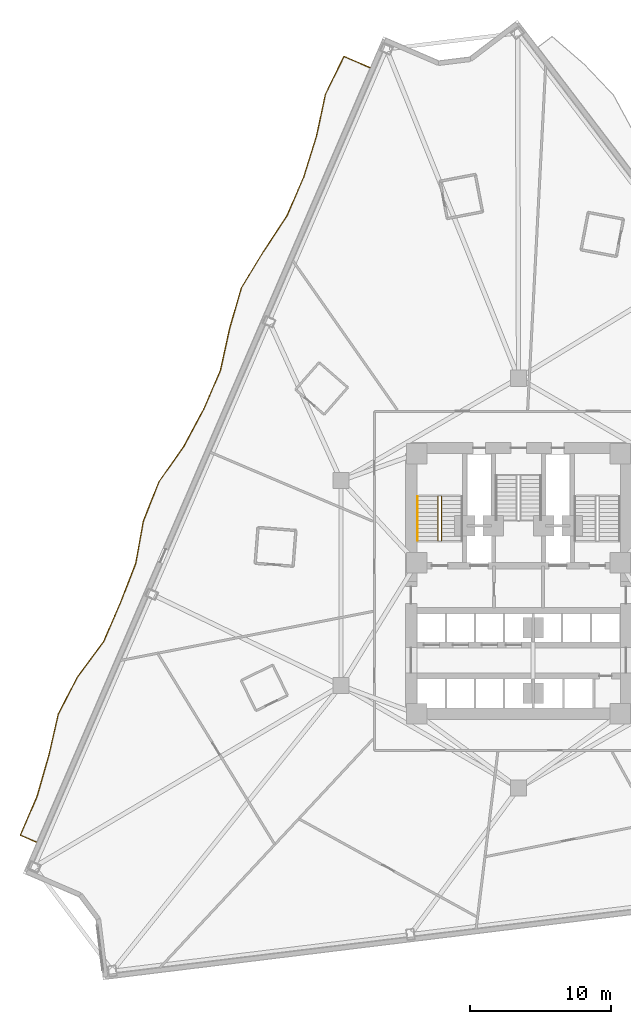
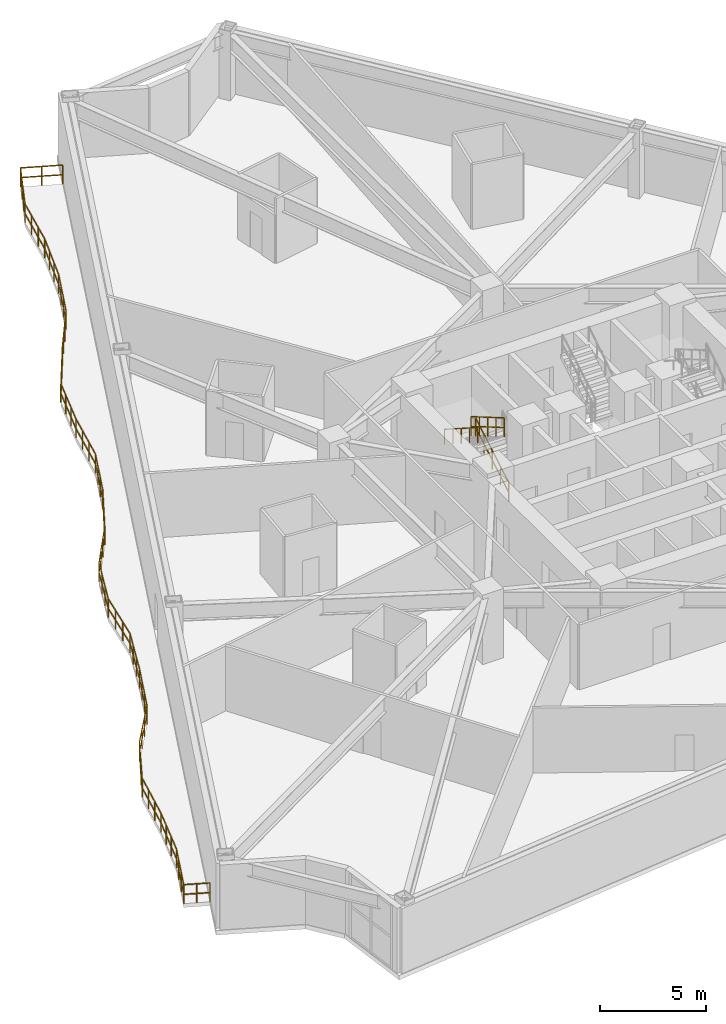
# One storey, part 12 of 14: 4 railings.
"""IFC4 building model written with IfcOpenShell, lengths in metres."""

import ifcopenshell
import ifcopenshell.guid

model = None  # the IFC model being written
_history = None  # IfcOwnerHistory: only IFC2X3 demands one
_inside = {}  # id of a spatial element -> (the spatial element, [elements in it])
_under = {}  # id of a project, library or spatial element -> (it, [spatial elements below it])
_declared = {}  # id of a project -> (the project, [libraries it declares])
_typed = {}  # id of a type object -> (the type object, [elements of that type])
_made_of = {}  # id of a material, layer set ... -> (it, [elements and type objects made of it])


def new_model(schema):
    """Start an empty IFC model of exactly this schema.

    Asked for "IFC4X3", IfcOpenShell would pick the latest addendum, in which some entities
    have other attributes; the version numbers below select the first issue.
    IFC2X3 requires an IfcOwnerHistory on every rooted entity: one is made here for all.
    """
    global model, _history
    if schema == "IFC4X3":
        model = ifcopenshell.file(schema_version=(4, 3, 0, 0))
    else:
        model = ifcopenshell.file(schema=schema)
    _inside.clear()
    _under.clear()
    _declared.clear()
    _typed.clear()
    _made_of.clear()
    _history = None
    if model.schema == "IFC2X3":
        org = make("IfcOrganization", Name="unknown")
        user = make(
            "IfcPersonAndOrganization",
            ThePerson=make("IfcPerson", FamilyName="unknown"),
            TheOrganization=org,
        )
        app = make(
            "IfcApplication",
            ApplicationDeveloper=org,
            Version="unknown",
            ApplicationFullName="unknown",
            ApplicationIdentifier="unknown",
        )
        _history = make(
            "IfcOwnerHistory",
            OwningUser=user,
            OwningApplication=app,
            ChangeAction="ADDED",
            CreationDate=0,
        )
    return model


def make(cls, **values):
    """One entity of the class cls with the attributes given. An attribute that is None is left unset."""
    return model.create_entity(
        cls, **{name: value for name, value in values.items() if value is not None}
    )


def rooted(cls, **values):
    """An entity with a GlobalId (a new one), such as an element, a storey or a relation."""
    return make(cls, GlobalId=ifcopenshell.guid.new(), OwnerHistory=_history, **values)


def si_unit(unit_type, name, prefix=None):
    """IfcSIUnit, for example si_unit("LENGTHUNIT", "METRE", prefix="MILLI")."""
    return make("IfcSIUnit", UnitType=unit_type, Prefix=prefix, Name=name)


def assignment(units):
    """IfcUnitAssignment: the units of a project."""
    return None if units is None else make("IfcUnitAssignment", Units=units)


def point(xyz):
    """IfcCartesianPoint."""
    return None if xyz is None else make("IfcCartesianPoint", Coordinates=xyz)


def direction(xyz):
    """IfcDirection."""
    return None if xyz is None else make("IfcDirection", DirectionRatios=xyz)


def frame(location, z_axis=None, x_axis=None):
    """IfcAxis2Placement3D, a coordinate frame: its origin and axes. An axis left out is left unset."""
    return make(
        "IfcAxis2Placement3D",
        Location=point(location),
        Axis=direction(z_axis),
        RefDirection=direction(x_axis),
    )


def frame_2d(location, x_axis=None):
    """IfcAxis2Placement2D, a coordinate frame in the plane: its origin and x axis."""
    return make(
        "IfcAxis2Placement2D", Location=point(location), RefDirection=direction(x_axis)
    )


def origin():
    """The frame at (0, 0, 0) with its axes left unset."""
    return frame((0.0, 0.0, 0.0))


def origin_2d():
    """The frame at (0, 0) in the plane with its x axis left unset."""
    return frame_2d((0.0, 0.0))


def place(relative_to, where):
    """IfcLocalPlacement: puts the frame where relative to a parent placement (None: the world)."""
    return make(
        "IfcLocalPlacement", PlacementRelTo=relative_to, RelativePlacement=where
    )


def context(
    kind, dimensions, precision=None, world=None, true_north=None, identifier=None
):
    """IfcGeometricRepresentationContext, for example the 3D "Model" context."""
    return make(
        "IfcGeometricRepresentationContext",
        ContextIdentifier=identifier,
        ContextType=kind,
        CoordinateSpaceDimension=dimensions,
        Precision=precision,
        WorldCoordinateSystem=world,
        TrueNorth=true_north,
    )


def subcontext(parent, identifier, kind, view, scale=None):
    """IfcGeometricRepresentationSubContext, for example "Body" below "Model"."""
    return make(
        "IfcGeometricRepresentationSubContext",
        ContextIdentifier=identifier,
        ContextType=kind,
        ParentContext=parent,
        TargetScale=scale,
        TargetView=view,
    )


def project(units=None, contexts=None):
    """IfcProject with its units and contexts."""
    return rooted(
        "IfcProject",
        Name="project",
        RepresentationContexts=contexts,
        UnitsInContext=assignment(units),
    )


def spatial(cls, under=None, at=None, **own):
    """A site, building, storey or space (cls), placed at a placement, below another one or the project."""
    s = rooted(cls, ObjectPlacement=at, **own)
    if under is not None:
        _under.setdefault(under.id(), (under, []))[1].append(s)
    return s


def profile(cls, at=None, kind="AREA", **sizes):
    """A parametric profile (cls). Its sizes go by their IFC names, for example OverallWidth=200.0."""
    return make(cls, ProfileType=kind, Position=at, **sizes)


def rectangle(**sizes):
    """IfcRectangleProfileDef."""
    return profile("IfcRectangleProfileDef", **sizes)


def extrude(swept, where, along, depth):
    """IfcExtrudedAreaSolid: the profile swept, set in the frame where, extruded along a direction by depth."""
    return make(
        "IfcExtrudedAreaSolid",
        SweptArea=swept,
        Position=where,
        ExtrudedDirection=direction(along),
        Depth=depth,
    )


def shape(context_of_items, identifier, shape_type, items):
    """IfcShapeRepresentation: the items that make up one representation, for example the "Body"."""
    return make(
        "IfcShapeRepresentation",
        ContextOfItems=context_of_items,
        RepresentationIdentifier=identifier,
        RepresentationType=shape_type,
        Items=items,
    )


def material(Name=None, Category=None):
    """IfcMaterial."""
    return make("IfcMaterial", Name=Name, Category=Category)


def made_of(thing, what):
    """Note that an element or type object is made of a material, layer set ...; save() writes the relation."""
    if what is not None:
        _made_of.setdefault(what.id(), (what, []))[1].append(thing)
    return thing


def type_object(cls, material=None, **own):
    """A type object (cls), such as IfcWallType, which elements share."""
    return made_of(rooted(cls, **own), material)


def element(
    cls,
    number,
    at=None,
    inside=None,
    cuts=None,
    type_object=None,
    material=None,
    context=None,
    identifier="Body",
    shape_type=None,
    held_by="IfcProductDefinitionShape",
    body=None,
    shapes=None,
    **own,
):
    """One element of the class cls, such as IfcWall. Its Tag is "e" and its number.

    at: its placement. inside: the storey or other place that contains it. cuts: it is an
    opening in that element (IfcRelVoidsElement). A single representation is given by context,
    identifier, shape_type and body (its items); several are given by shapes. held_by: the class
    of the entity that holds the representations. save() writes the other relations.
    """
    e = rooted(cls, Tag="e%d" % number, ObjectPlacement=at, **own)
    if body is not None:
        shapes = [shape(context, identifier, shape_type, body)]
    if shapes is not None:
        e.Representation = make(held_by, Representations=shapes)
    if inside is not None:
        _inside.setdefault(inside.id(), (inside, []))[1].append(e)
    if cuts is not None:
        rooted(
            "IfcRelVoidsElement", RelatingBuildingElement=cuts, RelatedOpeningElement=e
        )
    if type_object is not None:
        _typed.setdefault(type_object.id(), (type_object, []))[1].append(e)
    return made_of(e, material)


def aggregate(whole, parts):
    """IfcRelAggregates: a whole, such as a stair, and the parts it consists of."""
    return rooted("IfcRelAggregates", RelatingObject=whole, RelatedObjects=parts)


def save(model, path):
    """Write the relations noted so far, then the file.

    IfcRelAggregates (storeys below a building ...), IfcRelContainedInSpatialStructure (elements
    in a storey), IfcRelDefinesByType, IfcRelAssociatesMaterial and IfcRelDeclares: one each for
    every whole, place, type object, material and project.
    """
    for whole, parts in _under.values():
        aggregate(whole, parts)
    for where, things in _inside.values():
        rooted(
            "IfcRelContainedInSpatialStructure",
            RelatedElements=things,
            RelatingStructure=where,
        )
    for kind, things in _typed.values():
        rooted("IfcRelDefinesByType", RelatedObjects=things, RelatingType=kind)
    for what, things in _made_of.values():
        rooted("IfcRelAssociatesMaterial", RelatedObjects=things, RelatingMaterial=what)
    for by, libraries in _declared.values():
        rooted("IfcRelDeclares", RelatingContext=by, RelatedDefinitions=libraries)
    model.write(path)


model = new_model("IFC4")

# Units and contexts
model_context = context("Model", 3, precision=1e-05, world=origin(), true_north=direction((0.0, 1.0)))
body_context = subcontext(model_context, "Body", "Model", "MODEL_VIEW")
ifc_project = project(units=[si_unit("LENGTHUNIT", "METRE"), si_unit("AREAUNIT", "SQUARE_METRE"), si_unit("VOLUMEUNIT", "CUBIC_METRE"), si_unit("PLANEANGLEUNIT", "RADIAN"), si_unit("MASSUNIT", "GRAM", prefix="KILO")], contexts=[model_context])

# Site, building, storey
site_placement = place(None, origin())
site = spatial("IfcSite", under=ifc_project, at=site_placement, CompositionType="ELEMENT")
building_placement = place(site_placement, origin())
building = spatial("IfcBuilding", under=site, at=building_placement, Name="Apsidion Concourse Tower", CompositionType="ELEMENT")
storey_placement = place(building_placement, frame((0.0, 0.0, 79.0)))
storey = spatial("IfcBuildingStorey", under=building, at=storey_placement, Name="L17", CompositionType="ELEMENT", Elevation=79.0)

# Railings
ifc_material = material(Name="Brushed stainless steel 316", Category="steel")
railing_type_1 = type_object("IfcRailingType", Name="RL-BAL-1120", PredefinedType="BALUSTRADE", material=ifc_material)
railing_1_placement = place(storey_placement, frame((-34.10107421875, -18.32958984375, 0.0)))
element("IfcRailing", 1, at=railing_1_placement, inside=storey, type_object=railing_type_1, Name="L17 Face 1 Rippling Balcony Balustrade", PredefinedType="BALUSTRADE", context=body_context, shape_type="SweptSolid", body=[
    extrude(rectangle(XDim=0.048095703125, YDim=0.048095703125, at=origin_2d()), frame((0.0, 0.0, 1.09619140625), z_axis=(-0.918547942359, 0.395309597137, 0.0), x_axis=(-0.395309597137, -0.918547942359, 0.0)), (0.0, 0.0, 1.0), 1.25),
    extrude(rectangle(XDim=0.048095703125, YDim=0.048095703125, at=origin_2d()), frame((0.0, 0.0, 0.5361328125), z_axis=(-0.918547942359, 0.395309597137, 0.0), x_axis=(-0.395309597137, -0.918547942359, 0.0)), (0.0, 0.0, 1.0), 1.25),
    extrude(rectangle(XDim=0.048095703125, YDim=0.048095703125, at=origin_2d()), frame((-1.148193359375, 0.494140625, 1.09619140625), z_axis=(0.395479447574, 0.9184748263, 0.0), x_axis=(-0.9184748263, 0.395479447574, 0.0)), (0.0, 0.0, 1.0), 2.98291015625),
    extrude(rectangle(XDim=0.048095703125, YDim=0.048095703125, at=origin_2d()), frame((-1.148193359375, 0.494140625, 0.5361328125), z_axis=(0.395479447574, 0.9184748263, 0.0), x_axis=(-0.9184748263, 0.395479447574, 0.0)), (0.0, 0.0, 1.0), 2.98291015625),
    extrude(rectangle(XDim=0.048095703125, YDim=0.048095703125, at=origin_2d()), frame((0.031494140625, 3.23388671875, 1.09619140625), z_axis=(0.276640214168, 0.960973564624, 0.0), x_axis=(-0.960973564624, 0.276640214168, 0.0)), (0.0, 0.0, 1.0), 3.0068359375),
    extrude(rectangle(XDim=0.048095703125, YDim=0.048095703125, at=origin_2d()), frame((0.031494140625, 3.23388671875, 0.5361328125), z_axis=(0.276640214168, 0.960973564624, 0.0), x_axis=(-0.960973564624, 0.276640214168, 0.0)), (0.0, 0.0, 1.0), 3.0068359375),
    extrude(rectangle(XDim=0.048095703125, YDim=0.048095703125, at=origin_2d()), frame((0.86328125, 6.123291015625, 1.09619140625), z_axis=(0.223395277777, 0.974727936332, 0.0), x_axis=(-0.974727936332, 0.223395277777, 0.0)), (0.0, 0.0, 1.0), 3.03271484375),
    extrude(rectangle(XDim=0.048095703125, YDim=0.048095703125, at=origin_2d()), frame((0.86328125, 6.123291015625, 0.5361328125), z_axis=(0.223395277777, 0.974727936332, 0.0), x_axis=(-0.974727936332, 0.223395277777, 0.0)), (0.0, 0.0, 1.0), 3.03271484375),
    extrude(rectangle(XDim=0.048095703125, YDim=0.048095703125, at=origin_2d()), frame((1.540771484375, 9.079345703125, 1.09619140625), z_axis=(0.461036577645, 0.887381132363, 0.0), x_axis=(-0.887381132363, 0.461036577645, 0.0)), (0.0, 0.0, 1.0), 2.990966796875),
    extrude(rectangle(XDim=0.048095703125, YDim=0.048095703125, at=origin_2d()), frame((1.540771484375, 9.079345703125, 0.5361328125), z_axis=(0.461036577645, 0.887381132363, 0.0), x_axis=(-0.887381132363, 0.461036577645, 0.0)), (0.0, 0.0, 1.0), 2.990966796875),
    extrude(rectangle(XDim=0.048095703125, YDim=0.048095703125, at=origin_2d()), frame((2.919677734375, 11.7333984375, 1.09619140625), z_axis=(0.596784286254, 0.802401717147, 0.0), x_axis=(-0.802401717147, 0.596784286254, 0.0)), (0.0, 0.0, 1.0), 3.065673828125),
    extrude(rectangle(XDim=0.048095703125, YDim=0.048095703125, at=origin_2d()), frame((2.919677734375, 11.7333984375, 0.5361328125), z_axis=(0.596784286254, 0.802401717147, 0.0), x_axis=(-0.802401717147, 0.596784286254, 0.0)), (0.0, 0.0, 1.0), 3.065673828125),
    extrude(rectangle(XDim=0.048095703125, YDim=0.048095703125, at=origin_2d()), frame((4.749267578125, 14.193359375, 1.09619140625), z_axis=(0.395479447574, 0.9184748263, 0.0), x_axis=(-0.9184748263, 0.395479447574, 0.0)), (0.0, 0.0, 1.0), 2.98291015625),
    extrude(rectangle(XDim=0.048095703125, YDim=0.048095703125, at=origin_2d()), frame((4.749267578125, 14.193359375, 0.5361328125), z_axis=(0.395479447574, 0.9184748263, 0.0), x_axis=(-0.9184748263, 0.395479447574, 0.0)), (0.0, 0.0, 1.0), 2.98291015625),
    extrude(rectangle(XDim=0.048095703125, YDim=0.048095703125, at=origin_2d()), frame((5.928955078125, 16.93310546875, 1.09619140625), z_axis=(0.363026463413, 0.93177882937, 0.0), x_axis=(-0.93177882937, 0.363026463413, 0.0)), (0.0, 0.0, 1.0), 2.984619140625),
    extrude(rectangle(XDim=0.048095703125, YDim=0.048095703125, at=origin_2d()), frame((5.928955078125, 16.93310546875, 0.5361328125), z_axis=(0.363026463413, 0.93177882937, 0.0), x_axis=(-0.93177882937, 0.363026463413, 0.0)), (0.0, 0.0, 1.0), 2.984619140625),
    extrude(rectangle(XDim=0.048095703125, YDim=0.048095703125, at=origin_2d()), frame((7.012451171875, 19.714111328125, 1.09619140625), z_axis=(0.178050378897, 0.984021373027, 0.0), x_axis=(-0.984021373027, 0.178050378897, 0.0)), (0.0, 0.0, 1.0), 3.061767578125),
    extrude(rectangle(XDim=0.048095703125, YDim=0.048095703125, at=origin_2d()), frame((7.012451171875, 19.714111328125, 0.5361328125), z_axis=(0.178050378897, 0.984021373027, 0.0), x_axis=(-0.984021373027, 0.178050378897, 0.0)), (0.0, 0.0, 1.0), 3.061767578125),
    extrude(rectangle(XDim=0.048095703125, YDim=0.048095703125, at=origin_2d()), frame((7.5576171875, 22.72705078125, 1.09619140625), z_axis=(0.368963317402, 0.92944395765, 0.0), x_axis=(-0.92944395765, 0.368963317402, 0.0)), (0.0, 0.0, 1.0), 2.984130859375),
    extrude(rectangle(XDim=0.048095703125, YDim=0.048095703125, at=origin_2d()), frame((7.5576171875, 22.72705078125, 0.5361328125), z_axis=(0.368963317402, 0.92944395765, 0.0), x_axis=(-0.92944395765, 0.368963317402, 0.0)), (0.0, 0.0, 1.0), 2.984130859375),
    extrude(rectangle(XDim=0.048095703125, YDim=0.048095703125, at=origin_2d()), frame((8.65869140625, 25.500732421875, 1.09619140625), z_axis=(0.575106390626, 0.818078626699, 0.0), x_axis=(-0.818078626699, 0.575106390626, 0.0)), (0.0, 0.0, 1.0), 3.047607421875),
    extrude(rectangle(XDim=0.048095703125, YDim=0.048095703125, at=origin_2d()), frame((8.65869140625, 25.500732421875, 0.5361328125), z_axis=(0.575106390626, 0.818078626699, 0.0), x_axis=(-0.818078626699, 0.575106390626, 0.0)), (0.0, 0.0, 1.0), 3.047607421875),
    extrude(rectangle(XDim=0.048095703125, YDim=0.048095703125, at=origin_2d()), frame((10.411376953125, 27.993896484375, 1.09619140625), z_axis=(0.472669437324, 0.881239810165, 0.0), x_axis=(-0.881239810165, 0.472669437324, 0.0)), (0.0, 0.0, 1.0), 2.99365234375),
    extrude(rectangle(XDim=0.048095703125, YDim=0.048095703125, at=origin_2d()), frame((10.411376953125, 27.993896484375, 0.5361328125), z_axis=(0.472669437324, 0.881239810165, 0.0), x_axis=(-0.881239810165, 0.472669437324, 0.0)), (0.0, 0.0, 1.0), 2.99365234375),
    extrude(rectangle(XDim=0.048095703125, YDim=0.048095703125, at=origin_2d()), frame((11.826416015625, 30.632080078125, 1.09619140625), z_axis=(0.395380675093, 0.918517349734, 0.0), x_axis=(-0.918517349734, 0.395380675093, 0.0)), (0.0, 0.0, 1.0), 2.983154296875),
    extrude(rectangle(XDim=0.048095703125, YDim=0.048095703125, at=origin_2d()), frame((11.826416015625, 30.632080078125, 0.5361328125), z_axis=(0.395380675093, 0.918517349734, 0.0), x_axis=(-0.918517349734, 0.395380675093, 0.0)), (0.0, 0.0, 1.0), 2.983154296875),
    extrude(rectangle(XDim=0.048095703125, YDim=0.048095703125, at=origin_2d()), frame((13.005859375, 33.3720703125, 1.09619140625), z_axis=(0.213917356843, 0.976851761754, 0.0), x_axis=(-0.976851761754, 0.213917356843, 0.0)), (0.0, 0.0, 1.0), 3.0380859375),
    extrude(rectangle(XDim=0.048095703125, YDim=0.048095703125, at=origin_2d()), frame((13.005859375, 33.3720703125, 0.5361328125), z_axis=(0.213917356843, 0.976851761754, 0.0), x_axis=(-0.976851761754, 0.213917356843, 0.0)), (0.0, 0.0, 1.0), 3.0380859375),
    extrude(rectangle(XDim=0.048095703125, YDim=0.048095703125, at=origin_2d()), frame((13.65576171875, 36.33984375, 1.09619140625), z_axis=(0.278409077954, 0.960462589231, 0.0), x_axis=(-0.960462589231, 0.278409077954, 0.0)), (0.0, 0.0, 1.0), 3.006103515625),
    extrude(rectangle(XDim=0.048095703125, YDim=0.048095703125, at=origin_2d()), frame((13.65576171875, 36.33984375, 0.5361328125), z_axis=(0.278409077954, 0.960462589231, 0.0), x_axis=(-0.960462589231, 0.278409077954, 0.0)), (0.0, 0.0, 1.0), 3.006103515625),
    extrude(rectangle(XDim=0.048095703125, YDim=0.048095703125, at=origin_2d()), frame((14.49267578125, 39.22705078125, 1.09619140625), z_axis=(0.519967514727, 0.854186035726, 0.0), x_axis=(-0.854186035726, 0.519967514727, 0.0)), (0.0, 0.0, 1.0), 3.012451171875),
    extrude(rectangle(XDim=0.048095703125, YDim=0.048095703125, at=origin_2d()), frame((14.49267578125, 39.22705078125, 0.5361328125), z_axis=(0.519967514727, 0.854186035726, 0.0), x_axis=(-0.854186035726, 0.519967514727, 0.0)), (0.0, 0.0, 1.0), 3.012451171875),
    extrude(rectangle(XDim=0.048095703125, YDim=0.048095703125, at=origin_2d()), frame((16.05908203125, 41.80029296875, 1.09619140625), z_axis=(0.549538052105, 0.835468688395, 0.0), x_axis=(-0.835468688395, 0.549538052105, 0.0)), (0.0, 0.0, 1.0), 3.029541015625),
    extrude(rectangle(XDim=0.048095703125, YDim=0.048095703125, at=origin_2d()), frame((16.05908203125, 41.80029296875, 0.5361328125), z_axis=(0.549538052105, 0.835468688395, 0.0), x_axis=(-0.835468688395, 0.549538052105, 0.0)), (0.0, 0.0, 1.0), 3.029541015625),
    extrude(rectangle(XDim=0.048095703125, YDim=0.048095703125, at=origin_2d()), frame((17.723876953125, 44.331298828125, 1.09619140625), z_axis=(0.395410399338, 0.918504554205, 0.0), x_axis=(-0.918504554205, 0.395410399338, 0.0)), (0.0, 0.0, 1.0), 2.98291015625),
    extrude(rectangle(XDim=0.048095703125, YDim=0.048095703125, at=origin_2d()), frame((17.723876953125, 44.331298828125, 0.5361328125), z_axis=(0.395410399338, 0.918504554205, 0.0), x_axis=(-0.918504554205, 0.395410399338, 0.0)), (0.0, 0.0, 1.0), 2.98291015625),
    extrude(rectangle(XDim=0.048095703125, YDim=0.048095703125, at=origin_2d()), frame((18.9033203125, 47.071044921875, 1.09619140625), z_axis=(0.298761654816, 0.954327760055, 0.0), x_axis=(-0.954327760055, 0.298761654816, 0.0)), (0.0, 0.0, 1.0), 2.9990234375),
    extrude(rectangle(XDim=0.048095703125, YDim=0.048095703125, at=origin_2d()), frame((18.9033203125, 47.071044921875, 0.5361328125), z_axis=(0.298761654816, 0.954327760055, 0.0), x_axis=(-0.954327760055, 0.298761654816, 0.0)), (0.0, 0.0, 1.0), 2.9990234375),
    extrude(rectangle(XDim=0.048095703125, YDim=0.048095703125, at=origin_2d()), frame((19.79931640625, 49.93310546875, 1.09619140625), z_axis=(0.208558617626, 0.978009868567, 0.0), x_axis=(-0.978009868567, 0.208558617626, 0.0)), (0.0, 0.0, 1.0), 3.041259765625),
    extrude(rectangle(XDim=0.048095703125, YDim=0.048095703125, at=origin_2d()), frame((19.79931640625, 49.93310546875, 0.5361328125), z_axis=(0.208558617626, 0.978009868567, 0.0), x_axis=(-0.978009868567, 0.208558617626, 0.0)), (0.0, 0.0, 1.0), 3.041259765625),
    extrude(rectangle(XDim=0.048095703125, YDim=0.048095703125, at=origin_2d()), frame((20.43359375, 52.907470703125, 1.09619140625), z_axis=(0.438855254931, 0.89855776955, 0.0), x_axis=(-0.89855776955, 0.438855254931, 0.0)), (0.0, 0.0, 1.0), 2.986328125),
    extrude(rectangle(XDim=0.048095703125, YDim=0.048095703125, at=origin_2d()), frame((20.43359375, 52.907470703125, 0.5361328125), z_axis=(0.438855254931, 0.89855776955, 0.0), x_axis=(-0.89855776955, 0.438855254931, 0.0)), (0.0, 0.0, 1.0), 2.986328125),
    extrude(rectangle(XDim=0.048095703125, YDim=0.048095703125, at=origin_2d()), frame((21.744140625, 55.5908203125, 1.09619140625), z_axis=(0.918547023151, -0.395311733016, 0.0), x_axis=(0.395311733016, 0.918547023151, 0.0)), (0.0, 0.0, 1.0), 2.009521484375),
    extrude(rectangle(XDim=0.048095703125, YDim=0.048095703125, at=origin_2d()), frame((21.744140625, 55.5908203125, 0.5361328125), z_axis=(0.918547023151, -0.395311733016, 0.0), x_axis=(0.395311733016, 0.918547023151, 0.0)), (0.0, 0.0, 1.0), 2.009521484375),
    extrude(rectangle(XDim=0.0419921875, YDim=0.0419921875, at=origin_2d()), origin(), (0.0, 0.0, 1.0), 1.072021484375),
    extrude(rectangle(XDim=0.0419921875, YDim=0.0419921875, at=origin_2d()), frame((-0.57421875, 0.2470703125, 0.0)), (0.0, 0.0, 1.0), 1.072021484375),
    extrude(rectangle(XDim=0.0419921875, YDim=0.0419921875, at=origin_2d()), frame((-1.148193359375, 0.494140625, 0.0)), (0.0, 0.0, 1.0), 1.072021484375),
    extrude(rectangle(XDim=0.0419921875, YDim=0.0419921875, at=origin_2d()), frame((-0.7548828125, 1.407470703125, 0.0)), (0.0, 0.0, 1.0), 1.072021484375),
    extrude(rectangle(XDim=0.0419921875, YDim=0.0419921875, at=origin_2d()), frame((-0.36181640625, 2.320556640625, 0.0)), (0.0, 0.0, 1.0), 1.072021484375),
    extrude(rectangle(XDim=0.0419921875, YDim=0.0419921875, at=origin_2d()), frame((0.031494140625, 3.23388671875, 0.0)), (0.0, 0.0, 1.0), 1.072021484375),
    extrude(rectangle(XDim=0.0419921875, YDim=0.0419921875, at=origin_2d()), frame((0.308837890625, 4.197021484375, 0.0)), (0.0, 0.0, 1.0), 1.072021484375),
    extrude(rectangle(XDim=0.0419921875, YDim=0.0419921875, at=origin_2d()), frame((0.5859375, 5.16015625, 0.0)), (0.0, 0.0, 1.0), 1.072021484375),
    extrude(rectangle(XDim=0.0419921875, YDim=0.0419921875, at=origin_2d()), frame((0.86328125, 6.123291015625, 0.0)), (0.0, 0.0, 1.0), 1.072021484375),
    extrude(rectangle(XDim=0.0419921875, YDim=0.0419921875, at=origin_2d()), frame((1.089111328125, 7.108642578125, 0.0)), (0.0, 0.0, 1.0), 1.072021484375),
    extrude(rectangle(XDim=0.0419921875, YDim=0.0419921875, at=origin_2d()), frame((1.31494140625, 8.093994140625, 0.0)), (0.0, 0.0, 1.0), 1.072021484375),
    extrude(rectangle(XDim=0.0419921875, YDim=0.0419921875, at=origin_2d()), frame((1.540771484375, 9.079345703125, 0.0)), (0.0, 0.0, 1.0), 1.072021484375),
    extrude(rectangle(XDim=0.0419921875, YDim=0.0419921875, at=origin_2d()), frame((2.00048828125, 9.964111328125, 0.0)), (0.0, 0.0, 1.0), 1.072021484375),
    extrude(rectangle(XDim=0.0419921875, YDim=0.0419921875, at=origin_2d()), frame((2.4599609375, 10.8486328125, 0.0)), (0.0, 0.0, 1.0), 1.072021484375),
    extrude(rectangle(XDim=0.0419921875, YDim=0.0419921875, at=origin_2d()), frame((2.919677734375, 11.7333984375, 0.0)), (0.0, 0.0, 1.0), 1.072021484375),
    extrude(rectangle(XDim=0.0419921875, YDim=0.0419921875, at=origin_2d()), frame((3.529541015625, 12.553466796875, 0.0)), (0.0, 0.0, 1.0), 1.072021484375),
    extrude(rectangle(XDim=0.0419921875, YDim=0.0419921875, at=origin_2d()), frame((4.139404296875, 13.373291015625, 0.0)), (0.0, 0.0, 1.0), 1.072021484375),
    extrude(rectangle(XDim=0.0419921875, YDim=0.0419921875, at=origin_2d()), frame((4.749267578125, 14.193359375, 0.0)), (0.0, 0.0, 1.0), 1.072021484375),
    extrude(rectangle(XDim=0.0419921875, YDim=0.0419921875, at=origin_2d()), frame((5.142578125, 15.106689453125, 0.0)), (0.0, 0.0, 1.0), 1.072021484375),
    extrude(rectangle(XDim=0.0419921875, YDim=0.0419921875, at=origin_2d()), frame((5.53564453125, 16.019775390625, 0.0)), (0.0, 0.0, 1.0), 1.072021484375),
    extrude(rectangle(XDim=0.0419921875, YDim=0.0419921875, at=origin_2d()), frame((5.928955078125, 16.93310546875, 0.0)), (0.0, 0.0, 1.0), 1.072021484375),
    extrude(rectangle(XDim=0.0419921875, YDim=0.0419921875, at=origin_2d()), frame((6.2900390625, 17.860107421875, 0.0)), (0.0, 0.0, 1.0), 1.072021484375),
    extrude(rectangle(XDim=0.0419921875, YDim=0.0419921875, at=origin_2d()), frame((6.6513671875, 18.787109375, 0.0)), (0.0, 0.0, 1.0), 1.072021484375),
    extrude(rectangle(XDim=0.0419921875, YDim=0.0419921875, at=origin_2d()), frame((7.012451171875, 19.714111328125, 0.0)), (0.0, 0.0, 1.0), 1.072021484375),
    extrude(rectangle(XDim=0.0419921875, YDim=0.0419921875, at=origin_2d()), frame((7.194091796875, 20.718505859375, 0.0)), (0.0, 0.0, 1.0), 1.072021484375),
    extrude(rectangle(XDim=0.0419921875, YDim=0.0419921875, at=origin_2d()), frame((7.3759765625, 21.72265625, 0.0)), (0.0, 0.0, 1.0), 1.072021484375),
    extrude(rectangle(XDim=0.0419921875, YDim=0.0419921875, at=origin_2d()), frame((7.5576171875, 22.72705078125, 0.0)), (0.0, 0.0, 1.0), 1.072021484375),
    extrude(rectangle(XDim=0.0419921875, YDim=0.0419921875, at=origin_2d()), frame((7.924560546875, 23.651611328125, 0.0)), (0.0, 0.0, 1.0), 1.072021484375),
    extrude(rectangle(XDim=0.0419921875, YDim=0.0419921875, at=origin_2d()), frame((8.291748046875, 24.576171875, 0.0)), (0.0, 0.0, 1.0), 1.072021484375),
    extrude(rectangle(XDim=0.0419921875, YDim=0.0419921875, at=origin_2d()), frame((8.65869140625, 25.500732421875, 0.0)), (0.0, 0.0, 1.0), 1.072021484375),
    extrude(rectangle(XDim=0.0419921875, YDim=0.0419921875, at=origin_2d()), frame((9.242919921875, 26.331787109375, 0.0)), (0.0, 0.0, 1.0), 1.072021484375),
    extrude(rectangle(XDim=0.0419921875, YDim=0.0419921875, at=origin_2d()), frame((9.8271484375, 27.162841796875, 0.0)), (0.0, 0.0, 1.0), 1.072021484375),
    extrude(rectangle(XDim=0.0419921875, YDim=0.0419921875, at=origin_2d()), frame((10.411376953125, 27.993896484375, 0.0)), (0.0, 0.0, 1.0), 1.072021484375),
    extrude(rectangle(XDim=0.0419921875, YDim=0.0419921875, at=origin_2d()), frame((10.883056640625, 28.873291015625, 0.0)), (0.0, 0.0, 1.0), 1.072021484375),
    extrude(rectangle(XDim=0.0419921875, YDim=0.0419921875, at=origin_2d()), frame((11.354736328125, 29.752685546875, 0.0)), (0.0, 0.0, 1.0), 1.072021484375),
    extrude(rectangle(XDim=0.0419921875, YDim=0.0419921875, at=origin_2d()), frame((11.826416015625, 30.632080078125, 0.0)), (0.0, 0.0, 1.0), 1.072021484375),
    extrude(rectangle(XDim=0.0419921875, YDim=0.0419921875, at=origin_2d()), frame((12.219482421875, 31.54541015625, 0.0)), (0.0, 0.0, 1.0), 1.072021484375),
    extrude(rectangle(XDim=0.0419921875, YDim=0.0419921875, at=origin_2d()), frame((12.61279296875, 32.458740234375, 0.0)), (0.0, 0.0, 1.0), 1.072021484375),
    extrude(rectangle(XDim=0.0419921875, YDim=0.0419921875, at=origin_2d()), frame((13.005859375, 33.3720703125, 0.0)), (0.0, 0.0, 1.0), 1.072021484375),
    extrude(rectangle(XDim=0.0419921875, YDim=0.0419921875, at=origin_2d()), frame((13.222412109375, 34.361328125, 0.0)), (0.0, 0.0, 1.0), 1.072021484375),
    extrude(rectangle(XDim=0.0419921875, YDim=0.0419921875, at=origin_2d()), frame((13.439208984375, 35.3505859375, 0.0)), (0.0, 0.0, 1.0), 1.072021484375),
    extrude(rectangle(XDim=0.0419921875, YDim=0.0419921875, at=origin_2d()), frame((13.65576171875, 36.33984375, 0.0)), (0.0, 0.0, 1.0), 1.072021484375),
    extrude(rectangle(XDim=0.0419921875, YDim=0.0419921875, at=origin_2d()), frame((13.934814453125, 37.30224609375, 0.0)), (0.0, 0.0, 1.0), 1.072021484375),
    extrude(rectangle(XDim=0.0419921875, YDim=0.0419921875, at=origin_2d()), frame((14.213623046875, 38.2646484375, 0.0)), (0.0, 0.0, 1.0), 1.072021484375),
    extrude(rectangle(XDim=0.0419921875, YDim=0.0419921875, at=origin_2d()), frame((14.49267578125, 39.22705078125, 0.0)), (0.0, 0.0, 1.0), 1.072021484375),
    extrude(rectangle(XDim=0.0419921875, YDim=0.0419921875, at=origin_2d()), frame((15.014892578125, 40.084716796875, 0.0)), (0.0, 0.0, 1.0), 1.072021484375),
    extrude(rectangle(XDim=0.0419921875, YDim=0.0419921875, at=origin_2d()), frame((15.536865234375, 40.942626953125, 0.0)), (0.0, 0.0, 1.0), 1.072021484375),
    extrude(rectangle(XDim=0.0419921875, YDim=0.0419921875, at=origin_2d()), frame((16.05908203125, 41.80029296875, 0.0)), (0.0, 0.0, 1.0), 1.072021484375),
    extrude(rectangle(XDim=0.0419921875, YDim=0.0419921875, at=origin_2d()), frame((16.614013671875, 42.64404296875, 0.0)), (0.0, 0.0, 1.0), 1.072021484375),
    extrude(rectangle(XDim=0.0419921875, YDim=0.0419921875, at=origin_2d()), frame((17.1689453125, 43.487548828125, 0.0)), (0.0, 0.0, 1.0), 1.072021484375),
    extrude(rectangle(XDim=0.0419921875, YDim=0.0419921875, at=origin_2d()), frame((17.723876953125, 44.331298828125, 0.0)), (0.0, 0.0, 1.0), 1.072021484375),
    extrude(rectangle(XDim=0.0419921875, YDim=0.0419921875, at=origin_2d()), frame((18.116943359375, 45.24462890625, 0.0)), (0.0, 0.0, 1.0), 1.072021484375),
    extrude(rectangle(XDim=0.0419921875, YDim=0.0419921875, at=origin_2d()), frame((18.51025390625, 46.15771484375, 0.0)), (0.0, 0.0, 1.0), 1.072021484375),
    extrude(rectangle(XDim=0.0419921875, YDim=0.0419921875, at=origin_2d()), frame((18.9033203125, 47.071044921875, 0.0)), (0.0, 0.0, 1.0), 1.072021484375),
    extrude(rectangle(XDim=0.0419921875, YDim=0.0419921875, at=origin_2d()), frame((19.201904296875, 48.025146484375, 0.0)), (0.0, 0.0, 1.0), 1.072021484375),
    extrude(rectangle(XDim=0.0419921875, YDim=0.0419921875, at=origin_2d()), frame((19.500732421875, 48.97900390625, 0.0)), (0.0, 0.0, 1.0), 1.072021484375),
    extrude(rectangle(XDim=0.0419921875, YDim=0.0419921875, at=origin_2d()), frame((19.79931640625, 49.93310546875, 0.0)), (0.0, 0.0, 1.0), 1.072021484375),
    extrude(rectangle(XDim=0.0419921875, YDim=0.0419921875, at=origin_2d()), frame((20.0107421875, 50.924560546875, 0.0)), (0.0, 0.0, 1.0), 1.072021484375),
    extrude(rectangle(XDim=0.0419921875, YDim=0.0419921875, at=origin_2d()), frame((20.22216796875, 51.916015625, 0.0)), (0.0, 0.0, 1.0), 1.072021484375),
    extrude(rectangle(XDim=0.0419921875, YDim=0.0419921875, at=origin_2d()), frame((20.43359375, 52.907470703125, 0.0)), (0.0, 0.0, 1.0), 1.072021484375),
    extrude(rectangle(XDim=0.0419921875, YDim=0.0419921875, at=origin_2d()), frame((20.870361328125, 53.802001953125, 0.0)), (0.0, 0.0, 1.0), 1.072021484375),
    extrude(rectangle(XDim=0.0419921875, YDim=0.0419921875, at=origin_2d()), frame((21.307373046875, 54.6962890625, 0.0)), (0.0, 0.0, 1.0), 1.072021484375),
    extrude(rectangle(XDim=0.0419921875, YDim=0.0419921875, at=origin_2d()), frame((21.744140625, 55.5908203125, 0.0)), (0.0, 0.0, 1.0), 1.072021484375),
    extrude(rectangle(XDim=0.0419921875, YDim=0.0419921875, at=origin_2d()), frame((22.6669921875, 55.193603515625, 0.0)), (0.0, 0.0, 1.0), 1.072021484375),
    extrude(rectangle(XDim=0.0419921875, YDim=0.0419921875, at=origin_2d()), frame((23.590087890625, 54.79638671875, 0.0)), (0.0, 0.0, 1.0), 1.072021484375),
])
railing_type_2 = type_object("IfcRailingType", Name="RL-GUARD-1100", PredefinedType="GUARDRAIL", material=ifc_material)
railing_2_placement = place(storey_placement, frame((-5.449951171875, 3.0, 0.166748046875)))
element("IfcRailing", 2, at=railing_2_placement, inside=storey, type_object=railing_type_2, Name="L17 ST1 stair guard 1", PredefinedType="GUARDRAIL", context=body_context, shape_type="SweptSolid", body=[
    extrude(rectangle(XDim=0.048095703125, YDim=0.048095703125, at=origin_2d()), frame((0.0, 0.0, 1.09619140625), z_axis=(0.0, 0.863239559939, 0.504794475164), x_axis=(-1.0, 0.0, 0.0)), (0.0, 0.0, 1.0), 3.631591796875),
    extrude(rectangle(XDim=0.048095703125, YDim=0.048095703125, at=origin_2d()), frame((0.0, 0.0, 0.5361328125), z_axis=(0.0, 0.863239559939, 0.504794475164), x_axis=(-1.0, 0.0, 0.0)), (0.0, 0.0, 1.0), 3.631591796875),
    extrude(rectangle(XDim=0.0419921875, YDim=0.0419921875, at=origin_2d()), origin(), (0.0, 0.0, 1.0), 1.072021484375),
    extrude(rectangle(XDim=0.0419921875, YDim=0.0419921875, at=origin_2d()), frame((0.0, 0.78369140625, 0.458251953125)), (0.0, 0.0, 1.0), 1.072021484375),
    extrude(rectangle(XDim=0.0419921875, YDim=0.0419921875, at=origin_2d()), frame((0.0, 1.5673828125, 0.91650390625)), (0.0, 0.0, 1.0), 1.072021484375),
    extrude(rectangle(XDim=0.0419921875, YDim=0.0419921875, at=origin_2d()), frame((0.0, 2.351318359375, 1.375)), (0.0, 0.0, 1.0), 1.072021484375),
    extrude(rectangle(XDim=0.0419921875, YDim=0.0419921875, at=origin_2d()), frame((0.0, 3.135009765625, 1.833251953125)), (0.0, 0.0, 1.0), 1.072021484375),
])
railing_3_placement = place(storey_placement, frame((-5.699951171875, 6.135009765625, 2.166748046875)))
element("IfcRailing", 3, at=railing_3_placement, inside=storey, type_object=railing_type_2, Name="L17 ST1 stair guard 3", PredefinedType="GUARDRAIL", context=body_context, shape_type="SweptSolid", body=[
    extrude(rectangle(XDim=0.048095703125, YDim=0.048095703125, at=origin_2d()), frame((0.0, 0.0, 1.09619140625), z_axis=(0.0, -0.863239559939, 0.504794475164), x_axis=(1.0, 0.0, 0.0)), (0.0, 0.0, 1.0), 3.631591796875),
    extrude(rectangle(XDim=0.048095703125, YDim=0.048095703125, at=origin_2d()), frame((0.0, 0.0, 0.5361328125), z_axis=(0.0, -0.863239559939, 0.504794475164), x_axis=(1.0, 0.0, 0.0)), (0.0, 0.0, 1.0), 3.631591796875),
    extrude(rectangle(XDim=0.0419921875, YDim=0.0419921875, at=origin_2d()), origin(), (0.0, 0.0, 1.0), 1.072021484375),
    extrude(rectangle(XDim=0.0419921875, YDim=0.0419921875, at=origin_2d()), frame((0.0, -0.78369140625, 0.458251953125)), (0.0, 0.0, 1.0), 1.072021484375),
    extrude(rectangle(XDim=0.0419921875, YDim=0.0419921875, at=origin_2d()), frame((0.0, -1.5673828125, 0.91650390625)), (0.0, 0.0, 1.0), 1.072021484375),
    extrude(rectangle(XDim=0.0419921875, YDim=0.0419921875, at=origin_2d()), frame((0.0, -2.351318359375, 1.375)), (0.0, 0.0, 1.0), 1.072021484375),
    extrude(rectangle(XDim=0.0419921875, YDim=0.0419921875, at=origin_2d()), frame((0.0, -3.135009765625, 1.833251953125)), (0.0, 0.0, 1.0), 1.072021484375),
])
railing_type_3 = type_object("IfcRailingType", Name="RL-HAND-900", PredefinedType="HANDRAIL", material=ifc_material)
railing_4_placement = place(storey_placement, frame((-7.14990234375, 6.135009765625, 2.166748046875)))
element("IfcRailing", 4, at=railing_4_placement, inside=storey, type_object=railing_type_3, Name="L17 ST1 stair handrail 2", PredefinedType="HANDRAIL", context=body_context, shape_type="SweptSolid", body=[
    extrude(rectangle(XDim=0.048095703125, YDim=0.048095703125, at=origin_2d()), frame((0.0, 0.0, 0.8759765625), z_axis=(0.0, -0.843052688722, 0.537830980921), x_axis=(1.0, 0.0, 0.0)), (0.0, 0.0, 1.0), 3.71875),
    extrude(rectangle(XDim=0.0419921875, YDim=0.0419921875, at=origin_2d()), origin(), (0.0, 0.0, 1.0), 0.851806640625),
    extrude(rectangle(XDim=0.0419921875, YDim=0.0419921875, at=origin_2d()), frame((0.0, -0.78369140625, 0.5)), (0.0, 0.0, 1.0), 0.851806640625),
    extrude(rectangle(XDim=0.0419921875, YDim=0.0419921875, at=origin_2d()), frame((0.0, -1.5673828125, 1.0)), (0.0, 0.0, 1.0), 0.851806640625),
    extrude(rectangle(XDim=0.0419921875, YDim=0.0419921875, at=origin_2d()), frame((0.0, -2.351318359375, 1.5)), (0.0, 0.0, 1.0), 0.851806640625),
    extrude(rectangle(XDim=0.0419921875, YDim=0.0419921875, at=origin_2d()), frame((0.0, -3.135009765625, 2.0)), (0.0, 0.0, 1.0), 0.851806640625),
])

save(model, "model.ifc")
